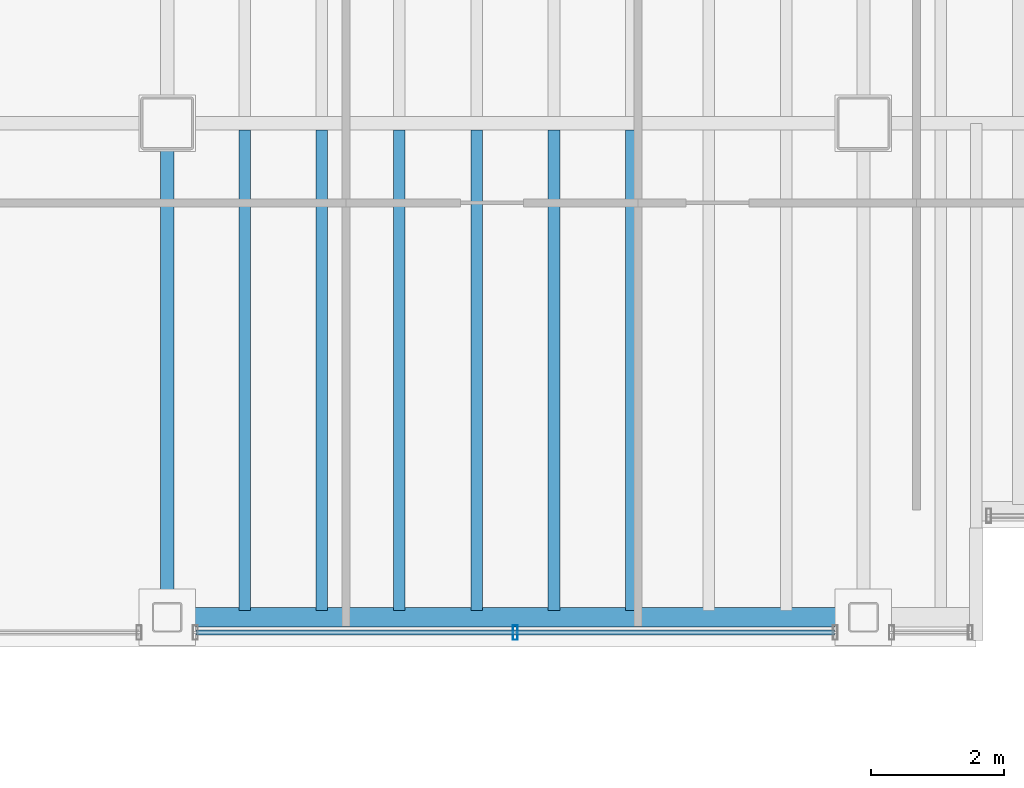
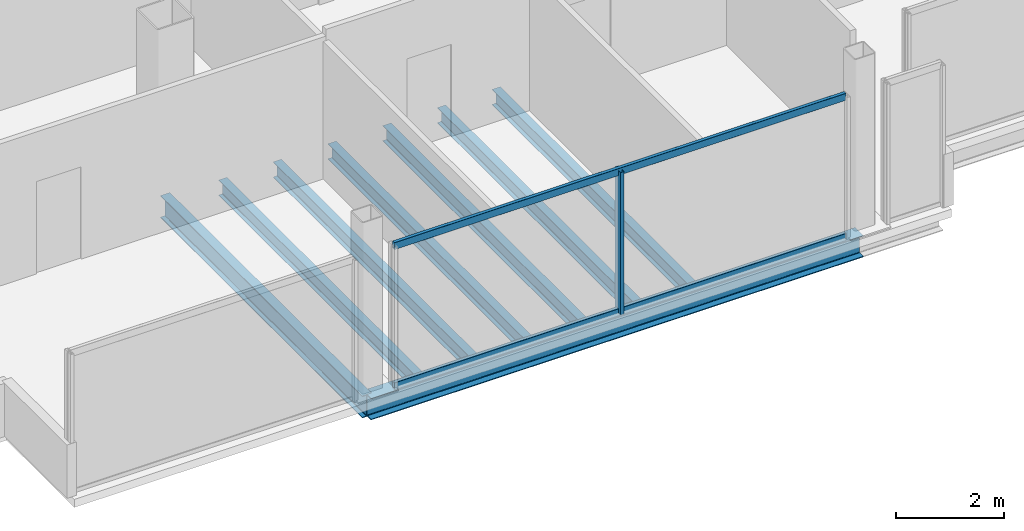
# One storey, part 3 of 17: 8 beams, 3 members, 1 element without a shape of its own.
"""IFC4 building model written with IfcOpenShell, lengths in metres."""

from ifc_helpers import new_model, si_unit, direction, frame, origin, origin_2d, place, context, subcontext, project, spatial, hollow_rectangle, i_section, extrude, material, material_profile, profile_set, type_object, element, aggregate, save


model = new_model("IFC4")

# Units and contexts
model_context = context("Model", 3, precision=1e-05, world=origin(), true_north=direction((0.0, 1.0)))
body_context = subcontext(model_context, "Body", "Model", "MODEL_VIEW")
ifc_project = project(units=[si_unit("LENGTHUNIT", "METRE"), si_unit("AREAUNIT", "SQUARE_METRE"), si_unit("VOLUMEUNIT", "CUBIC_METRE"), si_unit("PLANEANGLEUNIT", "RADIAN"), si_unit("MASSUNIT", "GRAM", prefix="KILO")], contexts=[model_context])

# Site, building, storey
site_placement = place(None, origin())
site = spatial("IfcSite", under=ifc_project, at=site_placement, CompositionType="ELEMENT")
building_placement = place(site_placement, origin())
building = spatial("IfcBuilding", under=site, at=building_placement, Name="Noeulbin Bourse Tower", CompositionType="ELEMENT")
storey_placement = place(building_placement, frame((0.0, 0.0, 242.300048828125)))
storey = spatial("IfcBuildingStorey", under=building, at=storey_placement, Name="L60", CompositionType="ELEMENT", Elevation=242.300048828125)

# Beams
ifc_material_1 = material(Name="Steel S355", Category="steel")
ifc_material_profile_1 = material_profile(ifc_material_1, i_section(OverallWidth=0.199951171875, OverallDepth=0.5, WebThickness=0.010009765625, FlangeThickness=0.01611328125, FilletRadius=0.02001953125, at=origin_2d()), Name="H-500x200x10x16", Category="LoadBearing")
ifc_profile_set_1 = profile_set([ifc_material_profile_1], Name="Steel S355")
beam_type_1 = type_object("IfcBeamType", Name="BM-GRD-500", PredefinedType="USERDEFINED", material=ifc_profile_set_1)
beam_1_placement = place(storey_placement, frame((13.5, 12.550048828125, -0.429931640625), z_axis=(0.0, 1.0, 0.0), x_axis=(-1.0, 0.0, 0.0)))
element("IfcBeam", 1, at=beam_1_placement, inside=storey, type_object=beam_type_1, Name="Tower Primary Girder NS L60-1.1", ObjectType="GIRDER", PredefinedType="USERDEFINED", context=body_context, shape_type="SweptSolid", body=[
    extrude(i_section(OverallWidth=0.199951171875, OverallDepth=0.5, WebThickness=0.010009765625, FlangeThickness=0.01611328125, FilletRadius=0.02001953125, at=origin_2d()), origin(), (0.0, 0.0, 1.0), 7.449951171875),
])
ifc_material_profile_2 = material_profile(ifc_material_1, i_section(OverallWidth=0.175048828125, OverallDepth=0.35009765625, WebThickness=0.007080078125, FlangeThickness=0.010986328125, FilletRadius=0.013916015625, at=origin_2d()), Name="H-350x175x7x11", Category="LoadBearing")
ifc_profile_set_2 = profile_set([ifc_material_profile_2], Name="Steel S355")
beam_type_2 = type_object("IfcBeamType", Name="BM-JST-350", PredefinedType="JOIST", material=ifc_profile_set_2)
for number, where, z_axis, x_axis, name in (
    (2, (14.666748046875, 12.64990234375, -0.35498046875), (0.0, 1.0, 0.0), (-1.0, 0.0, 0.0), "Tower Composite Joist L60-01"),
    (3, (15.833251953125, 12.64990234375, -0.35498046875), (0.0, 1.0, 0.0), (-1.0, 0.0, 0.0), "Tower Composite Joist L60-03"),
    (4, (17.0, 12.64990234375, -0.35498046875), (0.0, 1.0, 0.0), (-1.0, 0.0, 0.0), "Tower Composite Joist L60-05"),
    (5, (18.166748046875, 12.64990234375, -0.35498046875), (0.0, 1.0, 0.0), (-1.0, 0.0, 0.0), "Tower Composite Joist L60-07"),
    (6, (19.333251953125, 12.64990234375, -0.35498046875), (0.0, 1.0, 0.0), (-1.0, 0.0, 0.0), "Tower Composite Joist L60-09"),
    (7, (20.5, 12.64990234375, -0.35498046875), (0.0, 1.0, 0.0), (-1.0, 0.0, 0.0), "Tower Composite Joist L60-11"),
):
    element("IfcBeam", number, at=place(storey_placement, frame(where, z_axis=z_axis, x_axis=x_axis)), inside=storey, type_object=beam_type_2, Name=name, PredefinedType="JOIST", context=body_context, shape_type="SweptSolid", body=[
        extrude(i_section(OverallWidth=0.175048828125, OverallDepth=0.35009765625, WebThickness=0.007080078125, FlangeThickness=0.010986328125, FilletRadius=0.013916015625, at=origin_2d()), origin(), (0.0, 0.0, 1.0), 7.25),
    ])
ifc_material_profile_3 = material_profile(ifc_material_1, i_section(OverallWidth=0.300048828125, OverallDepth=0.488037109375, WebThickness=0.010986328125, FlangeThickness=0.01806640625, FilletRadius=0.02197265625, at=origin_2d()), Name="H-488x300x11x18", Category="LoadBearing")
ifc_profile_set_3 = profile_set([ifc_material_profile_3], Name="Steel S355")
beam_type_3 = type_object("IfcBeamType", Name="BM-SPN-488", PredefinedType="SPANDREL", material=ifc_profile_set_3)
beam_2_placement = place(storey_placement, frame((13.5, 12.550048828125, -0.424072265625), z_axis=(1.0, 0.0, 0.0), x_axis=(0.0, 1.0, 0.0)))
element("IfcBeam", 8, at=beam_2_placement, inside=storey, type_object=beam_type_3, Name="South Spandrel L60-1", PredefinedType="SPANDREL", context=body_context, shape_type="SweptSolid", body=[
    extrude(i_section(OverallWidth=0.300048828125, OverallDepth=0.488037109375, WebThickness=0.010986328125, FlangeThickness=0.01806640625, FilletRadius=0.02197265625, at=origin_2d()), origin(), (0.0, 0.0, 1.0), 10.5),
])

# Curtain wall, members
ifc_material_2 = material(Name="High-Selectivity Low-Iron Glazing", Category="glass")
curtain_wall_type = type_object("IfcCurtainWallType", Name="CW-SYS-4", PredefinedType="NOTDEFINED", material=ifc_material_2)
curtain_wall_placement = place(storey_placement, origin())
curtain_wall = element("IfcCurtainWall", 9, at=curtain_wall_placement, inside=storey, type_object=curtain_wall_type, Name="Unitised Curtain Wall CW-L60-S1-S2", PredefinedType="NOTDEFINED")
ifc_material_3 = material(Name="Anodised Aluminium 6063-T6", Category="aluminium")
ifc_material_profile_4 = material_profile(ifc_material_3, hollow_rectangle(XDim=0.074951171875, YDim=0.219970703125, WallThickness=0.0048828125, InnerFilletRadius=0.00244140625, OuterFilletRadius=0.0048828125, at=origin_2d()), Name="ALU-MULL-75x220x5", Category="LoadBearing")
ifc_profile_set_4 = profile_set([ifc_material_profile_4], Name="Anodised Aluminium 6063-T6")
member_type_1 = type_object("IfcMemberType", Name="CW-SYS-4-MUL", PredefinedType="MULLION", material=ifc_profile_set_4)
member_1_placement = place(storey_placement, frame((18.75, 12.320068359375, -0.02001953125), z_axis=(0.0, 0.0, 1.0), x_axis=(1.0, 0.0, 0.0)))
member_1 = element("IfcMember", 10, at=member_1_placement, type_object=member_type_1, Name="Curtain Wall Mullion CW-L60-S1-S2-M01", PredefinedType="MULLION", context=body_context, shape_type="SweptSolid", body=[
    extrude(hollow_rectangle(XDim=0.074951171875, YDim=0.219970703125, WallThickness=0.0048828125, InnerFilletRadius=0.00244140625, OuterFilletRadius=0.0048828125, at=origin_2d()), origin(), (0.0, 0.0, 1.0), 3.219970703125),
])
ifc_material_profile_5 = material_profile(ifc_material_3, hollow_rectangle(XDim=0.074951171875, YDim=0.159912109375, WallThickness=0.0048828125, InnerFilletRadius=0.00244140625, OuterFilletRadius=0.0048828125, at=origin_2d()), Name="ALU-TRAN-75x160x5", Category="LoadBearing")
ifc_profile_set_5 = profile_set([ifc_material_profile_5], Name="Anodised Aluminium 6063-T6")
member_type_2 = type_object("IfcMemberType", Name="CW-SYS-4-TRN", PredefinedType="USERDEFINED", material=ifc_profile_set_5)
member_2_placement = place(storey_placement, frame((13.93505859375, 12.320068359375, 0.010009765625), z_axis=(1.0, 0.0, 0.0), x_axis=(0.0, 1.0, 0.0)))
member_2 = element("IfcMember", 11, at=member_2_placement, type_object=member_type_2, Name="Curtain Wall Transom CW-L60-S1-S2-T00", ObjectType="TRANSOM", PredefinedType="USERDEFINED", context=body_context, shape_type="SweptSolid", body=[
    extrude(hollow_rectangle(XDim=0.074951171875, YDim=0.159912109375, WallThickness=0.0048828125, InnerFilletRadius=0.00244140625, OuterFilletRadius=0.0048828125, at=origin_2d()), origin(), (0.0, 0.0, 1.0), 9.6298828125),
])
member_3_placement = place(storey_placement, frame((13.93505859375, 12.320068359375, 3.169921875), z_axis=(1.0, 0.0, 0.0), x_axis=(0.0, 1.0, 0.0)))
member_3 = element("IfcMember", 12, at=member_3_placement, type_object=member_type_2, Name="Curtain Wall Transom CW-L60-S1-S2-T01", ObjectType="TRANSOM", PredefinedType="USERDEFINED", context=body_context, shape_type="SweptSolid", body=[
    extrude(hollow_rectangle(XDim=0.074951171875, YDim=0.159912109375, WallThickness=0.0048828125, InnerFilletRadius=0.00244140625, OuterFilletRadius=0.0048828125, at=origin_2d()), origin(), (0.0, 0.0, 1.0), 9.6298828125),
])
aggregate(curtain_wall, [member_1, member_2, member_3])

save(model, "model.ifc")
